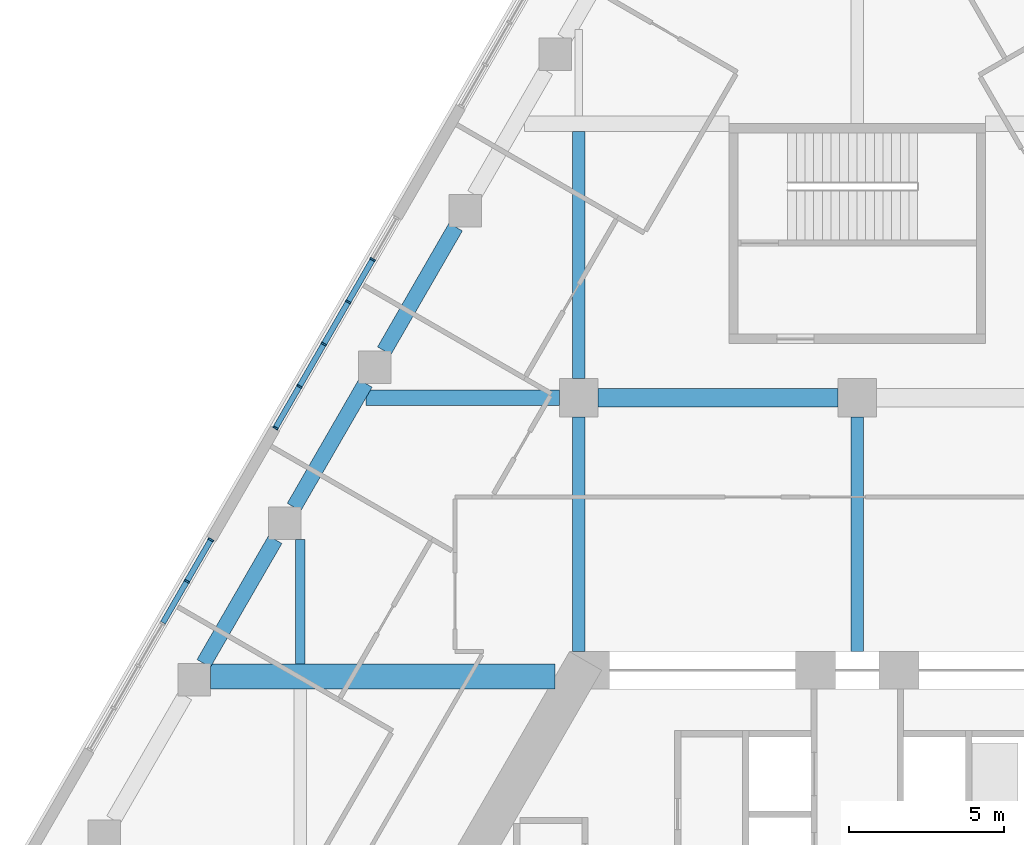
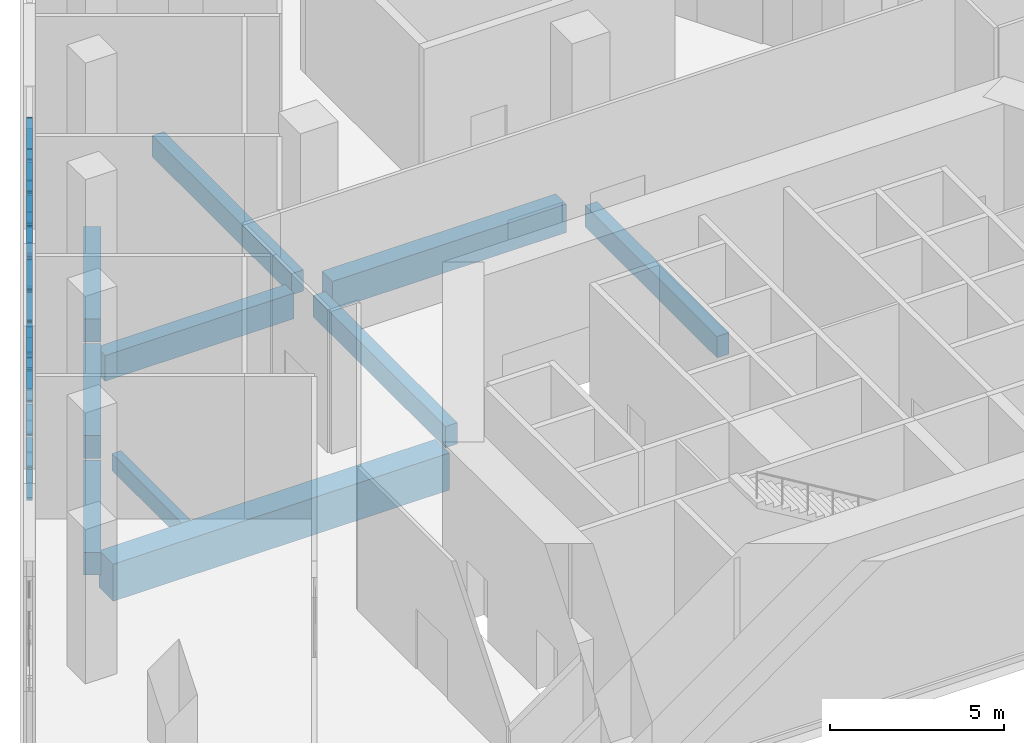
# One storey, part 3 of 18: 41 members, 10 beams, 2 elements without a shape of their own.
"""IFC4 building model written with IfcOpenShell, lengths in metres."""

from ifc_helpers import new_model, si_unit, direction, frame, origin, origin_2d, place, context, subcontext, project, spatial, rectangle, extrude, material, material_profile, profile_set, type_object, element, aggregate, save


model = new_model("IFC4")

# Units and contexts
model_context = context("Model", 3, precision=1e-05, world=origin(), true_north=direction((0.0, 1.0)))
body_context = subcontext(model_context, "Body", "Model", "MODEL_VIEW")
ifc_project = project(units=[si_unit("LENGTHUNIT", "METRE"), si_unit("AREAUNIT", "SQUARE_METRE"), si_unit("VOLUMEUNIT", "CUBIC_METRE"), si_unit("PLANEANGLEUNIT", "RADIAN"), si_unit("MASSUNIT", "GRAM", prefix="KILO")], contexts=[model_context])

# Site, building, storey
site_placement = place(None, origin())
site = spatial("IfcSite", under=ifc_project, at=site_placement, CompositionType="ELEMENT")
building_placement = place(site_placement, origin())
building = spatial("IfcBuilding", under=site, at=building_placement, Name="Fogline Exchange Tower", CompositionType="ELEMENT")
storey_placement = place(building_placement, frame((0.0, 0.0, 137.5)))
storey = spatial("IfcBuildingStorey", under=building, at=storey_placement, Name="L30", CompositionType="ELEMENT", Elevation=137.5)

# Beams
ifc_material_1 = material(Name="Concrete C40", Category="concrete")
ifc_material_profile_1 = material_profile(ifc_material_1, rectangle(XDim=0.5, YDim=0.89990234375, at=origin_2d()), Name="RC 500x900")
ifc_profile_set_1 = profile_set([ifc_material_profile_1], Name="Concrete C40")
beam_type_1 = type_object("IfcBeamType", Name="B02", PredefinedType="BEAM", material=ifc_profile_set_1)
beam_1_placement = place(storey_placement, frame((-15.871826171875, 27.0, -0.85009765625), z_axis=(1.0, 0.0, 0.0), x_axis=(0.0, 1.0, 0.0)))
element("IfcBeam", 1, at=beam_1_placement, inside=storey, type_object=beam_type_1, Name="GB005", PredefinedType="BEAM", context=body_context, shape_type="SweptSolid", body=[
    extrude(rectangle(XDim=0.5, YDim=0.89990234375, at=origin_2d()), origin(), (0.0, 0.0, 1.0), 6.246826171875),
])
ifc_material_profile_2 = material_profile(ifc_material_1, rectangle(XDim=0.60009765625, YDim=1.0, at=origin_2d()), Name="RC 600x1000")
ifc_profile_set_2 = profile_set([ifc_material_profile_2], Name="Concrete C40")
beam_type_2 = type_object("IfcBeamType", Name="B03", PredefinedType="BEAM", material=ifc_profile_set_2)
beam_2_placement = place(storey_placement, frame((-8.375, 27.0, -0.89990234375), z_axis=(1.0, 0.0, 0.0), x_axis=(0.0, 1.0, 0.0)))
element("IfcBeam", 2, at=beam_2_placement, inside=storey, type_object=beam_type_2, Name="GB006", PredefinedType="BEAM", context=body_context, shape_type="SweptSolid", body=[
    extrude(rectangle(XDim=0.60009765625, YDim=1.0, at=origin_2d()), origin(), (0.0, 0.0, 1.0), 7.75),
])
ifc_material_profile_3 = material_profile(ifc_material_1, rectangle(XDim=0.800048828125, YDim=1.300048828125, at=origin_2d()), Name="RC 800x1300")
ifc_profile_set_3 = profile_set([ifc_material_profile_3], Name="Concrete C40")
beam_type_3 = type_object("IfcBeamType", Name="B04", PredefinedType="BEAM", material=ifc_profile_set_3)
beam_3_placement = place(storey_placement, frame((-20.892333984375, 18.0, -1.050048828125), z_axis=(1.0, 0.0, 0.0), x_axis=(0.0, 1.0, 0.0)))
element("IfcBeam", 3, at=beam_3_placement, inside=storey, type_object=beam_type_3, Name="GB003", PredefinedType="BEAM", context=body_context, shape_type="SweptSolid", body=[
    extrude(rectangle(XDim=0.800048828125, YDim=1.300048828125, at=origin_2d()), origin(), (0.0, 0.0, 1.0), 11.13427734375),
])
ifc_material_profile_4 = material_profile(ifc_material_1, rectangle(XDim=0.39990234375, YDim=0.75, at=origin_2d()), Name="RC 400x750")
ifc_profile_set_4 = profile_set([ifc_material_profile_4], Name="Concrete C40")
beam_type_4 = type_object("IfcBeamType", Name="B05", PredefinedType="BEAM", material=ifc_profile_set_4)
beam_4_placement = place(storey_placement, frame((-9.0, 18.800048828125, -0.77490234375), z_axis=(0.0, 1.0, 0.0), x_axis=(-1.0, 0.0, 0.0)))
element("IfcBeam", 4, at=beam_4_placement, inside=storey, type_object=beam_type_4, Name="SB004", PredefinedType="BEAM", context=body_context, shape_type="SweptSolid", body=[
    extrude(rectangle(XDim=0.39990234375, YDim=0.75, at=origin_2d()), origin(), (0.0, 0.0, 1.0), 7.574951171875),
])
beam_5_placement = place(storey_placement, frame((-9.0, 27.625, -0.77490234375), z_axis=(0.0, 1.0, 0.0), x_axis=(-1.0, 0.0, 0.0)))
element("IfcBeam", 5, at=beam_5_placement, inside=storey, type_object=beam_type_4, Name="SB005", PredefinedType="BEAM", context=body_context, shape_type="SweptSolid", body=[
    extrude(rectangle(XDim=0.39990234375, YDim=0.75, at=origin_2d()), origin(), (0.0, 0.0, 1.0), 7.98193359375),
])
beam_6_placement = place(storey_placement, frame((0.0, 18.800048828125, -0.77490234375), z_axis=(0.0, 1.0, 0.0), x_axis=(-1.0, 0.0, 0.0)))
element("IfcBeam", 6, at=beam_6_placement, inside=storey, type_object=beam_type_4, Name="SB007", PredefinedType="BEAM", context=body_context, shape_type="SweptSolid", body=[
    extrude(rectangle(XDim=0.39990234375, YDim=0.75, at=origin_2d()), origin(), (0.0, 0.0, 1.0), 7.574951171875),
])
ifc_material_profile_5 = material_profile(ifc_material_1, rectangle(XDim=0.300048828125, YDim=0.60009765625, at=origin_2d()), Name="RC 300x600")
ifc_profile_set_5 = profile_set([ifc_material_profile_5], Name="Concrete C40")
beam_type_5 = type_object("IfcBeamType", Name="B06", PredefinedType="BEAM", material=ifc_profile_set_5)
beam_7_placement = place(storey_placement, frame((-18.0, 18.39990234375, -0.699951171875), z_axis=(0.0, 1.0, 0.0), x_axis=(-1.0, 0.0, 0.0)))
element("IfcBeam", 7, at=beam_7_placement, inside=storey, type_object=beam_type_5, Name="SB003", PredefinedType="BEAM", context=body_context, shape_type="SweptSolid", body=[
    extrude(rectangle(XDim=0.300048828125, YDim=0.60009765625, at=origin_2d()), origin(), (0.0, 0.0, 1.0), 4.020263671875),
])
ifc_material_profile_6 = material_profile(ifc_material_1, rectangle(XDim=0.5, YDim=0.800048828125, at=origin_2d()), Name="RC 500x800")
ifc_profile_set_6 = profile_set([ifc_material_profile_6], Name="Concrete C40")
beam_type_6 = type_object("IfcBeamType", Name="B10", PredefinedType="BEAM", material=ifc_profile_set_6)
for number, where, z_axis, x_axis, name in (
    (8, (-12.97314453125, 32.520751953125, -0.800048828125), (-0.500004591975, -0.86602275259, 0.0), (0.86602275259, -0.500004591975, 0.0), "RB023"),
    (9, (-15.888916015625, 27.470458984375, -0.800048828125), (-0.500004591975, -0.86602275259, 0.0), (0.86602275259, -0.500004591975, 0.0), "RB024"),
    (10, (-18.8046875, 22.420166015625, -0.800048828125), (-0.500004591975, -0.86602275259, 0.0), (0.86602275259, -0.500004591975, 0.0), "RB025"),
):
    element("IfcBeam", number, at=place(storey_placement, frame(where, z_axis=z_axis, x_axis=x_axis)), inside=storey, type_object=beam_type_6, Name=name, PredefinedType="BEAM", context=body_context, shape_type="SweptSolid", body=[
        extrude(rectangle(XDim=0.5, YDim=0.800048828125, at=origin_2d()), origin(), (0.0, 0.0, 1.0), 4.619140625),
    ])

# Curtain wall, members
ifc_material_2 = material(Name="Aluminium and glass", Category="aluminium")
curtain_wall_type = type_object("IfcCurtainWallType", Name="CW4", PredefinedType="NOTDEFINED", material=ifc_material_2)
curtain_wall_1_placement = place(storey_placement, origin())
curtain_wall_1 = element("IfcCurtainWall", 11, at=curtain_wall_1_placement, inside=storey, type_object=curtain_wall_type, Name="CW4 L30 W run 3", PredefinedType="NOTDEFINED")
ifc_material_3 = material(Name="Aluminium", Category="aluminium")
ifc_material_profile_7 = material_profile(ifc_material_3, rectangle(XDim=0.179931640625, YDim=0.06005859375, at=origin_2d()), Name="Mullion 60x180")
ifc_profile_set_7 = profile_set([ifc_material_profile_7], Name="Aluminium")
member_type_1 = type_object("IfcMemberType", Name="CW4-M", PredefinedType="MULLION", material=ifc_profile_set_7)
member_1_placement = place(storey_placement, frame((-15.656982421875, 31.46728515625, 0.0), z_axis=(0.0, 0.0, 1.0), x_axis=(0.866025393993, -0.500000016959, 0.0)))
member_1 = element("IfcMember", 12, at=member_1_placement, type_object=member_type_1, Name="CW4-T09-10 mullion 2", PredefinedType="MULLION", context=body_context, shape_type="SweptSolid", body=[
    extrude(rectangle(XDim=0.179931640625, YDim=0.06005859375, at=origin_2d()), origin(), (0.0, 0.0, 1.0), 5.0),
])
member_2_placement = place(storey_placement, frame((-16.4453125, 30.1015625, 0.0), z_axis=(0.0, 0.0, 1.0), x_axis=(0.866025393993, -0.500000016959, 0.0)))
member_2 = element("IfcMember", 13, at=member_2_placement, type_object=member_type_1, Name="CW4-T09-10 mullion 3", PredefinedType="MULLION", context=body_context, shape_type="SweptSolid", body=[
    extrude(rectangle(XDim=0.179931640625, YDim=0.06005859375, at=origin_2d()), origin(), (0.0, 0.0, 1.0), 5.0),
])
member_3_placement = place(storey_placement, frame((-17.23388671875, 28.73583984375, 0.0), z_axis=(0.0, 0.0, 1.0), x_axis=(0.866025393993, -0.500000016959, 0.0)))
member_3 = element("IfcMember", 14, at=member_3_placement, type_object=member_type_1, Name="CW4-T09-10 mullion 4", PredefinedType="MULLION", context=body_context, shape_type="SweptSolid", body=[
    extrude(rectangle(XDim=0.179931640625, YDim=0.06005859375, at=origin_2d()), origin(), (0.0, 0.0, 1.0), 5.0),
])
member_4_placement = place(storey_placement, frame((-18.0224609375, 27.3701171875, 0.0), z_axis=(0.0, 0.0, 1.0), x_axis=(0.866025393993, -0.500000016959, 0.0)))
member_4 = element("IfcMember", 15, at=member_4_placement, type_object=member_type_1, Name="CW4-T09-10 mullion 5", PredefinedType="MULLION", context=body_context, shape_type="SweptSolid", body=[
    extrude(rectangle(XDim=0.179931640625, YDim=0.06005859375, at=origin_2d()), origin(), (0.0, 0.0, 1.0), 5.0),
])
member_5_placement = place(storey_placement, frame((-18.7958984375, 26.0302734375, 0.0), z_axis=(0.0, 0.0, 1.0), x_axis=(0.866025393993, -0.500000016959, 0.0)))
member_5 = element("IfcMember", 16, at=member_5_placement, type_object=member_type_1, Name="CW4-T09-10 mullion 6", PredefinedType="MULLION", context=body_context, shape_type="SweptSolid", body=[
    extrude(rectangle(XDim=0.179931640625, YDim=0.06005859375, at=origin_2d()), origin(), (0.0, 0.0, 1.0), 5.0),
])

curtain_wall_2_placement = place(storey_placement, origin())
curtain_wall_2 = element("IfcCurtainWall", 17, at=curtain_wall_2_placement, inside=storey, type_object=curtain_wall_type, Name="CW4 L30 W run 4", PredefinedType="NOTDEFINED")
member_6_placement = place(storey_placement, frame((-20.883544921875, 22.414794921875, 0.0), z_axis=(0.0, 0.0, 1.0), x_axis=(0.866025393993, -0.500000016959, 0.0)))
member_6 = element("IfcMember", 18, at=member_6_placement, type_object=member_type_1, Name="CW4-T09-11 mullion 1", PredefinedType="MULLION", context=body_context, shape_type="SweptSolid", body=[
    extrude(rectangle(XDim=0.179931640625, YDim=0.06005859375, at=origin_2d()), origin(), (0.0, 0.0, 1.0), 5.0),
])
member_7_placement = place(storey_placement, frame((-21.656982421875, 21.074951171875, 0.0), z_axis=(0.0, 0.0, 1.0), x_axis=(0.866025393993, -0.500000016959, 0.0)))
member_7 = element("IfcMember", 19, at=member_7_placement, type_object=member_type_1, Name="CW4-T09-11 mullion 2", PredefinedType="MULLION", context=body_context, shape_type="SweptSolid", body=[
    extrude(rectangle(XDim=0.179931640625, YDim=0.06005859375, at=origin_2d()), origin(), (0.0, 0.0, 1.0), 5.0),
])

# Member
ifc_material_profile_8 = material_profile(ifc_material_3, rectangle(XDim=0.179931640625, YDim=0.074951171875, at=origin_2d()), Name="Transom 75x180")
ifc_profile_set_8 = profile_set([ifc_material_profile_8], Name="Aluminium")
member_type_2 = type_object("IfcMemberType", Name="CW4-T", PredefinedType="USERDEFINED", material=ifc_profile_set_8)
member_8_placement = place(storey_placement, frame((-15.671875, 31.44140625, 0.03759765625), z_axis=(-0.49996389635, -0.866046247233, 0.0), x_axis=(0.866046247233, -0.49996389635, 0.0)))
member_8 = element("IfcMember", 20, at=member_8_placement, type_object=member_type_2, Name="CW4-T09-10 transom 2.1", ObjectType="TRANSOM", PredefinedType="USERDEFINED", context=body_context, shape_type="SweptSolid", body=[
    extrude(rectangle(XDim=0.179931640625, YDim=0.074951171875, at=origin_2d()), origin(), (0.0, 0.0, 1.0), 1.51708984375),
])

member_9_placement = place(storey_placement, frame((-15.671875, 31.44140625, 1.10009765625), z_axis=(-0.49996389635, -0.866046247233, 0.0), x_axis=(0.866046247233, -0.49996389635, 0.0)))
member_9 = element("IfcMember", 21, at=member_9_placement, type_object=member_type_2, Name="CW4-T09-10 transom 2.2", ObjectType="TRANSOM", PredefinedType="USERDEFINED", context=body_context, shape_type="SweptSolid", body=[
    extrude(rectangle(XDim=0.179931640625, YDim=0.074951171875, at=origin_2d()), origin(), (0.0, 0.0, 1.0), 1.51708984375),
])

member_10_placement = place(storey_placement, frame((-15.671875, 31.44140625, 2.2666015625), z_axis=(-0.49996389635, -0.866046247233, 0.0), x_axis=(0.866046247233, -0.49996389635, 0.0)))
member_10 = element("IfcMember", 22, at=member_10_placement, type_object=member_type_2, Name="CW4-T09-10 transom 2.3", ObjectType="TRANSOM", PredefinedType="USERDEFINED", context=body_context, shape_type="SweptSolid", body=[
    extrude(rectangle(XDim=0.179931640625, YDim=0.074951171875, at=origin_2d()), origin(), (0.0, 0.0, 1.0), 1.51708984375),
])

member_11_placement = place(storey_placement, frame((-15.671875, 31.44140625, 3.433349609375), z_axis=(-0.49996389635, -0.866046247233, 0.0), x_axis=(0.866046247233, -0.49996389635, 0.0)))
member_11 = element("IfcMember", 23, at=member_11_placement, type_object=member_type_2, Name="CW4-T09-10 transom 2.4", ObjectType="TRANSOM", PredefinedType="USERDEFINED", context=body_context, shape_type="SweptSolid", body=[
    extrude(rectangle(XDim=0.179931640625, YDim=0.074951171875, at=origin_2d()), origin(), (0.0, 0.0, 1.0), 1.51708984375),
])

member_12_placement = place(storey_placement, frame((-15.671875, 31.44140625, 4.60009765625), z_axis=(-0.49996389635, -0.866046247233, 0.0), x_axis=(0.866046247233, -0.49996389635, 0.0)))
member_12 = element("IfcMember", 24, at=member_12_placement, type_object=member_type_2, Name="CW4-T09-10 transom 2.5", ObjectType="TRANSOM", PredefinedType="USERDEFINED", context=body_context, shape_type="SweptSolid", body=[
    extrude(rectangle(XDim=0.179931640625, YDim=0.074951171875, at=origin_2d()), origin(), (0.0, 0.0, 1.0), 1.51708984375),
])

member_13_placement = place(storey_placement, frame((-15.671875, 31.44140625, 4.96240234375), z_axis=(-0.49996389635, -0.866046247233, 0.0), x_axis=(0.866046247233, -0.49996389635, 0.0)))
member_13 = element("IfcMember", 25, at=member_13_placement, type_object=member_type_2, Name="CW4-T09-10 transom 2.6", ObjectType="TRANSOM", PredefinedType="USERDEFINED", context=body_context, shape_type="SweptSolid", body=[
    extrude(rectangle(XDim=0.179931640625, YDim=0.074951171875, at=origin_2d()), origin(), (0.0, 0.0, 1.0), 1.51708984375),
])

member_14_placement = place(storey_placement, frame((-16.46044921875, 30.07568359375, 0.03759765625), z_axis=(-0.49996389635, -0.866046247233, 0.0), x_axis=(0.866046247233, -0.49996389635, 0.0)))
member_14 = element("IfcMember", 26, at=member_14_placement, type_object=member_type_2, Name="CW4-T09-10 transom 3.1", ObjectType="TRANSOM", PredefinedType="USERDEFINED", context=body_context, shape_type="SweptSolid", body=[
    extrude(rectangle(XDim=0.179931640625, YDim=0.074951171875, at=origin_2d()), origin(), (0.0, 0.0, 1.0), 1.51708984375),
])

member_15_placement = place(storey_placement, frame((-16.46044921875, 30.07568359375, 1.10009765625), z_axis=(-0.49996389635, -0.866046247233, 0.0), x_axis=(0.866046247233, -0.49996389635, 0.0)))
member_15 = element("IfcMember", 27, at=member_15_placement, type_object=member_type_2, Name="CW4-T09-10 transom 3.2", ObjectType="TRANSOM", PredefinedType="USERDEFINED", context=body_context, shape_type="SweptSolid", body=[
    extrude(rectangle(XDim=0.179931640625, YDim=0.074951171875, at=origin_2d()), origin(), (0.0, 0.0, 1.0), 1.51708984375),
])

member_16_placement = place(storey_placement, frame((-16.46044921875, 30.07568359375, 2.2666015625), z_axis=(-0.49996389635, -0.866046247233, 0.0), x_axis=(0.866046247233, -0.49996389635, 0.0)))
member_16 = element("IfcMember", 28, at=member_16_placement, type_object=member_type_2, Name="CW4-T09-10 transom 3.3", ObjectType="TRANSOM", PredefinedType="USERDEFINED", context=body_context, shape_type="SweptSolid", body=[
    extrude(rectangle(XDim=0.179931640625, YDim=0.074951171875, at=origin_2d()), origin(), (0.0, 0.0, 1.0), 1.51708984375),
])

member_17_placement = place(storey_placement, frame((-16.46044921875, 30.07568359375, 3.433349609375), z_axis=(-0.49996389635, -0.866046247233, 0.0), x_axis=(0.866046247233, -0.49996389635, 0.0)))
member_17 = element("IfcMember", 29, at=member_17_placement, type_object=member_type_2, Name="CW4-T09-10 transom 3.4", ObjectType="TRANSOM", PredefinedType="USERDEFINED", context=body_context, shape_type="SweptSolid", body=[
    extrude(rectangle(XDim=0.179931640625, YDim=0.074951171875, at=origin_2d()), origin(), (0.0, 0.0, 1.0), 1.51708984375),
])

member_18_placement = place(storey_placement, frame((-16.46044921875, 30.07568359375, 4.60009765625), z_axis=(-0.49996389635, -0.866046247233, 0.0), x_axis=(0.866046247233, -0.49996389635, 0.0)))
member_18 = element("IfcMember", 30, at=member_18_placement, type_object=member_type_2, Name="CW4-T09-10 transom 3.5", ObjectType="TRANSOM", PredefinedType="USERDEFINED", context=body_context, shape_type="SweptSolid", body=[
    extrude(rectangle(XDim=0.179931640625, YDim=0.074951171875, at=origin_2d()), origin(), (0.0, 0.0, 1.0), 1.51708984375),
])

member_19_placement = place(storey_placement, frame((-16.46044921875, 30.07568359375, 4.96240234375), z_axis=(-0.49996389635, -0.866046247233, 0.0), x_axis=(0.866046247233, -0.49996389635, 0.0)))
member_19 = element("IfcMember", 31, at=member_19_placement, type_object=member_type_2, Name="CW4-T09-10 transom 3.6", ObjectType="TRANSOM", PredefinedType="USERDEFINED", context=body_context, shape_type="SweptSolid", body=[
    extrude(rectangle(XDim=0.179931640625, YDim=0.074951171875, at=origin_2d()), origin(), (0.0, 0.0, 1.0), 1.51708984375),
])

member_20_placement = place(storey_placement, frame((-17.2490234375, 28.7099609375, 0.03759765625), z_axis=(-0.499843189486, -0.86611591945, 0.0), x_axis=(0.86611591945, -0.499843189486, 0.0)))
member_20 = element("IfcMember", 32, at=member_20_placement, type_object=member_type_2, Name="CW4-T09-10 transom 4.1", ObjectType="TRANSOM", PredefinedType="USERDEFINED", context=body_context, shape_type="SweptSolid", body=[
    extrude(rectangle(XDim=0.179931640625, YDim=0.074951171875, at=origin_2d()), origin(), (0.0, 0.0, 1.0), 1.51708984375),
])

member_21_placement = place(storey_placement, frame((-17.2490234375, 28.7099609375, 1.10009765625), z_axis=(-0.499843189486, -0.86611591945, 0.0), x_axis=(0.86611591945, -0.499843189486, 0.0)))
member_21 = element("IfcMember", 33, at=member_21_placement, type_object=member_type_2, Name="CW4-T09-10 transom 4.2", ObjectType="TRANSOM", PredefinedType="USERDEFINED", context=body_context, shape_type="SweptSolid", body=[
    extrude(rectangle(XDim=0.179931640625, YDim=0.074951171875, at=origin_2d()), origin(), (0.0, 0.0, 1.0), 1.51708984375),
])

member_22_placement = place(storey_placement, frame((-17.2490234375, 28.7099609375, 2.2666015625), z_axis=(-0.499843189486, -0.86611591945, 0.0), x_axis=(0.86611591945, -0.499843189486, 0.0)))
member_22 = element("IfcMember", 34, at=member_22_placement, type_object=member_type_2, Name="CW4-T09-10 transom 4.3", ObjectType="TRANSOM", PredefinedType="USERDEFINED", context=body_context, shape_type="SweptSolid", body=[
    extrude(rectangle(XDim=0.179931640625, YDim=0.074951171875, at=origin_2d()), origin(), (0.0, 0.0, 1.0), 1.51708984375),
])

member_23_placement = place(storey_placement, frame((-17.2490234375, 28.7099609375, 3.433349609375), z_axis=(-0.499843189486, -0.86611591945, 0.0), x_axis=(0.86611591945, -0.499843189486, 0.0)))
member_23 = element("IfcMember", 35, at=member_23_placement, type_object=member_type_2, Name="CW4-T09-10 transom 4.4", ObjectType="TRANSOM", PredefinedType="USERDEFINED", context=body_context, shape_type="SweptSolid", body=[
    extrude(rectangle(XDim=0.179931640625, YDim=0.074951171875, at=origin_2d()), origin(), (0.0, 0.0, 1.0), 1.51708984375),
])

member_24_placement = place(storey_placement, frame((-17.2490234375, 28.7099609375, 4.60009765625), z_axis=(-0.499843189486, -0.86611591945, 0.0), x_axis=(0.86611591945, -0.499843189486, 0.0)))
member_24 = element("IfcMember", 36, at=member_24_placement, type_object=member_type_2, Name="CW4-T09-10 transom 4.5", ObjectType="TRANSOM", PredefinedType="USERDEFINED", context=body_context, shape_type="SweptSolid", body=[
    extrude(rectangle(XDim=0.179931640625, YDim=0.074951171875, at=origin_2d()), origin(), (0.0, 0.0, 1.0), 1.51708984375),
])

member_25_placement = place(storey_placement, frame((-17.2490234375, 28.7099609375, 4.96240234375), z_axis=(-0.499843189486, -0.86611591945, 0.0), x_axis=(0.86611591945, -0.499843189486, 0.0)))
member_25 = element("IfcMember", 37, at=member_25_placement, type_object=member_type_2, Name="CW4-T09-10 transom 4.6", ObjectType="TRANSOM", PredefinedType="USERDEFINED", context=body_context, shape_type="SweptSolid", body=[
    extrude(rectangle(XDim=0.179931640625, YDim=0.074951171875, at=origin_2d()), origin(), (0.0, 0.0, 1.0), 1.51708984375),
])

member_26_placement = place(storey_placement, frame((-18.037353515625, 27.34423828125, 0.03759765625), z_axis=(-0.500058770943, -0.865991469706, 0.0), x_axis=(0.865991469706, -0.500058770943, 0.0)))
member_26 = element("IfcMember", 38, at=member_26_placement, type_object=member_type_2, Name="CW4-T09-10 transom 5.1", ObjectType="TRANSOM", PredefinedType="USERDEFINED", context=body_context, shape_type="SweptSolid", body=[
    extrude(rectangle(XDim=0.179931640625, YDim=0.074951171875, at=origin_2d()), origin(), (0.0, 0.0, 1.0), 1.487060546875),
])

member_27_placement = place(storey_placement, frame((-18.037353515625, 27.34423828125, 1.10009765625), z_axis=(-0.500058770943, -0.865991469706, 0.0), x_axis=(0.865991469706, -0.500058770943, 0.0)))
member_27 = element("IfcMember", 39, at=member_27_placement, type_object=member_type_2, Name="CW4-T09-10 transom 5.2", ObjectType="TRANSOM", PredefinedType="USERDEFINED", context=body_context, shape_type="SweptSolid", body=[
    extrude(rectangle(XDim=0.179931640625, YDim=0.074951171875, at=origin_2d()), origin(), (0.0, 0.0, 1.0), 1.487060546875),
])

member_28_placement = place(storey_placement, frame((-18.037353515625, 27.34423828125, 2.2666015625), z_axis=(-0.500058770943, -0.865991469706, 0.0), x_axis=(0.865991469706, -0.500058770943, 0.0)))
member_28 = element("IfcMember", 40, at=member_28_placement, type_object=member_type_2, Name="CW4-T09-10 transom 5.3", ObjectType="TRANSOM", PredefinedType="USERDEFINED", context=body_context, shape_type="SweptSolid", body=[
    extrude(rectangle(XDim=0.179931640625, YDim=0.074951171875, at=origin_2d()), origin(), (0.0, 0.0, 1.0), 1.487060546875),
])

member_29_placement = place(storey_placement, frame((-18.037353515625, 27.34423828125, 3.433349609375), z_axis=(-0.500058770943, -0.865991469706, 0.0), x_axis=(0.865991469706, -0.500058770943, 0.0)))
member_29 = element("IfcMember", 41, at=member_29_placement, type_object=member_type_2, Name="CW4-T09-10 transom 5.4", ObjectType="TRANSOM", PredefinedType="USERDEFINED", context=body_context, shape_type="SweptSolid", body=[
    extrude(rectangle(XDim=0.179931640625, YDim=0.074951171875, at=origin_2d()), origin(), (0.0, 0.0, 1.0), 1.487060546875),
])

member_30_placement = place(storey_placement, frame((-18.037353515625, 27.34423828125, 4.60009765625), z_axis=(-0.500058770943, -0.865991469706, 0.0), x_axis=(0.865991469706, -0.500058770943, 0.0)))
member_30 = element("IfcMember", 42, at=member_30_placement, type_object=member_type_2, Name="CW4-T09-10 transom 5.5", ObjectType="TRANSOM", PredefinedType="USERDEFINED", context=body_context, shape_type="SweptSolid", body=[
    extrude(rectangle(XDim=0.179931640625, YDim=0.074951171875, at=origin_2d()), origin(), (0.0, 0.0, 1.0), 1.487060546875),
])

member_31_placement = place(storey_placement, frame((-18.037353515625, 27.34423828125, 4.96240234375), z_axis=(-0.500058770943, -0.865991469706, 0.0), x_axis=(0.865991469706, -0.500058770943, 0.0)))
member_31 = element("IfcMember", 43, at=member_31_placement, type_object=member_type_2, Name="CW4-T09-10 transom 5.6", ObjectType="TRANSOM", PredefinedType="USERDEFINED", context=body_context, shape_type="SweptSolid", body=[
    extrude(rectangle(XDim=0.179931640625, YDim=0.074951171875, at=origin_2d()), origin(), (0.0, 0.0, 1.0), 1.487060546875),
])

aggregate(curtain_wall_1, [member_1, member_2, member_3, member_4, member_5, member_8, member_9, member_10, member_11, member_12, member_13, member_14, member_15, member_16, member_17, member_18, member_19, member_20, member_21, member_22, member_23, member_24, member_25, member_26, member_27, member_28, member_29, member_30, member_31])

member_32_placement = place(storey_placement, frame((-20.8984375, 22.388671875, 0.03759765625), z_axis=(-0.500006734102, -0.866021515814, 0.0), x_axis=(0.866021515814, -0.500006734102, 0.0)))
member_32 = element("IfcMember", 44, at=member_32_placement, type_object=member_type_2, Name="CW4-T09-11 transom 1.1", ObjectType="TRANSOM", PredefinedType="USERDEFINED", context=body_context, shape_type="SweptSolid", body=[
    extrude(rectangle(XDim=0.179931640625, YDim=0.074951171875, at=origin_2d()), origin(), (0.0, 0.0, 1.0), 1.48681640625),
])

member_33_placement = place(storey_placement, frame((-20.8984375, 22.388671875, 1.10009765625), z_axis=(-0.500006734102, -0.866021515814, 0.0), x_axis=(0.866021515814, -0.500006734102, 0.0)))
member_33 = element("IfcMember", 45, at=member_33_placement, type_object=member_type_2, Name="CW4-T09-11 transom 1.2", ObjectType="TRANSOM", PredefinedType="USERDEFINED", context=body_context, shape_type="SweptSolid", body=[
    extrude(rectangle(XDim=0.179931640625, YDim=0.074951171875, at=origin_2d()), origin(), (0.0, 0.0, 1.0), 1.48681640625),
])

member_34_placement = place(storey_placement, frame((-20.8984375, 22.388671875, 2.2666015625), z_axis=(-0.500006734102, -0.866021515814, 0.0), x_axis=(0.866021515814, -0.500006734102, 0.0)))
member_34 = element("IfcMember", 46, at=member_34_placement, type_object=member_type_2, Name="CW4-T09-11 transom 1.3", ObjectType="TRANSOM", PredefinedType="USERDEFINED", context=body_context, shape_type="SweptSolid", body=[
    extrude(rectangle(XDim=0.179931640625, YDim=0.074951171875, at=origin_2d()), origin(), (0.0, 0.0, 1.0), 1.48681640625),
])

member_35_placement = place(storey_placement, frame((-20.8984375, 22.388671875, 3.433349609375), z_axis=(-0.500006734102, -0.866021515814, 0.0), x_axis=(0.866021515814, -0.500006734102, 0.0)))
member_35 = element("IfcMember", 47, at=member_35_placement, type_object=member_type_2, Name="CW4-T09-11 transom 1.4", ObjectType="TRANSOM", PredefinedType="USERDEFINED", context=body_context, shape_type="SweptSolid", body=[
    extrude(rectangle(XDim=0.179931640625, YDim=0.074951171875, at=origin_2d()), origin(), (0.0, 0.0, 1.0), 1.48681640625),
])

member_36_placement = place(storey_placement, frame((-20.8984375, 22.388671875, 4.60009765625), z_axis=(-0.500006734102, -0.866021515814, 0.0), x_axis=(0.866021515814, -0.500006734102, 0.0)))
member_36 = element("IfcMember", 48, at=member_36_placement, type_object=member_type_2, Name="CW4-T09-11 transom 1.5", ObjectType="TRANSOM", PredefinedType="USERDEFINED", context=body_context, shape_type="SweptSolid", body=[
    extrude(rectangle(XDim=0.179931640625, YDim=0.074951171875, at=origin_2d()), origin(), (0.0, 0.0, 1.0), 1.48681640625),
])

member_37_placement = place(storey_placement, frame((-20.8984375, 22.388671875, 4.96240234375), z_axis=(-0.500006734102, -0.866021515814, 0.0), x_axis=(0.866021515814, -0.500006734102, 0.0)))
member_37 = element("IfcMember", 49, at=member_37_placement, type_object=member_type_2, Name="CW4-T09-11 transom 1.6", ObjectType="TRANSOM", PredefinedType="USERDEFINED", context=body_context, shape_type="SweptSolid", body=[
    extrude(rectangle(XDim=0.179931640625, YDim=0.074951171875, at=origin_2d()), origin(), (0.0, 0.0, 1.0), 1.48681640625),
])

member_38_placement = place(storey_placement, frame((-21.671875, 21.049072265625, 2.2666015625), z_axis=(-0.500033579465, -0.866006015803, 0.0), x_axis=(0.866006015803, -0.500033579465, 0.0)))
member_38 = element("IfcMember", 50, at=member_38_placement, type_object=member_type_2, Name="CW4-T09-11 transom 2.3", ObjectType="TRANSOM", PredefinedType="USERDEFINED", context=body_context, shape_type="SweptSolid", body=[
    extrude(rectangle(XDim=0.179931640625, YDim=0.074951171875, at=origin_2d()), origin(), (0.0, 0.0, 1.0), 1.51708984375),
])

member_39_placement = place(storey_placement, frame((-21.671875, 21.049072265625, 3.433349609375), z_axis=(-0.500033579465, -0.866006015803, 0.0), x_axis=(0.866006015803, -0.500033579465, 0.0)))
member_39 = element("IfcMember", 51, at=member_39_placement, type_object=member_type_2, Name="CW4-T09-11 transom 2.4", ObjectType="TRANSOM", PredefinedType="USERDEFINED", context=body_context, shape_type="SweptSolid", body=[
    extrude(rectangle(XDim=0.179931640625, YDim=0.074951171875, at=origin_2d()), origin(), (0.0, 0.0, 1.0), 1.51708984375),
])

member_40_placement = place(storey_placement, frame((-21.671875, 21.049072265625, 4.60009765625), z_axis=(-0.500033579465, -0.866006015803, 0.0), x_axis=(0.866006015803, -0.500033579465, 0.0)))
member_40 = element("IfcMember", 52, at=member_40_placement, type_object=member_type_2, Name="CW4-T09-11 transom 2.5", ObjectType="TRANSOM", PredefinedType="USERDEFINED", context=body_context, shape_type="SweptSolid", body=[
    extrude(rectangle(XDim=0.179931640625, YDim=0.074951171875, at=origin_2d()), origin(), (0.0, 0.0, 1.0), 1.51708984375),
])

member_41_placement = place(storey_placement, frame((-21.671875, 21.049072265625, 4.96240234375), z_axis=(-0.500033579465, -0.866006015803, 0.0), x_axis=(0.866006015803, -0.500033579465, 0.0)))
member_41 = element("IfcMember", 53, at=member_41_placement, type_object=member_type_2, Name="CW4-T09-11 transom 2.6", ObjectType="TRANSOM", PredefinedType="USERDEFINED", context=body_context, shape_type="SweptSolid", body=[
    extrude(rectangle(XDim=0.179931640625, YDim=0.074951171875, at=origin_2d()), origin(), (0.0, 0.0, 1.0), 1.51708984375),
])

aggregate(curtain_wall_2, [member_6, member_7, member_32, member_33, member_34, member_35, member_36, member_37, member_38, member_39, member_40, member_41])

save(model, "model.ifc")
